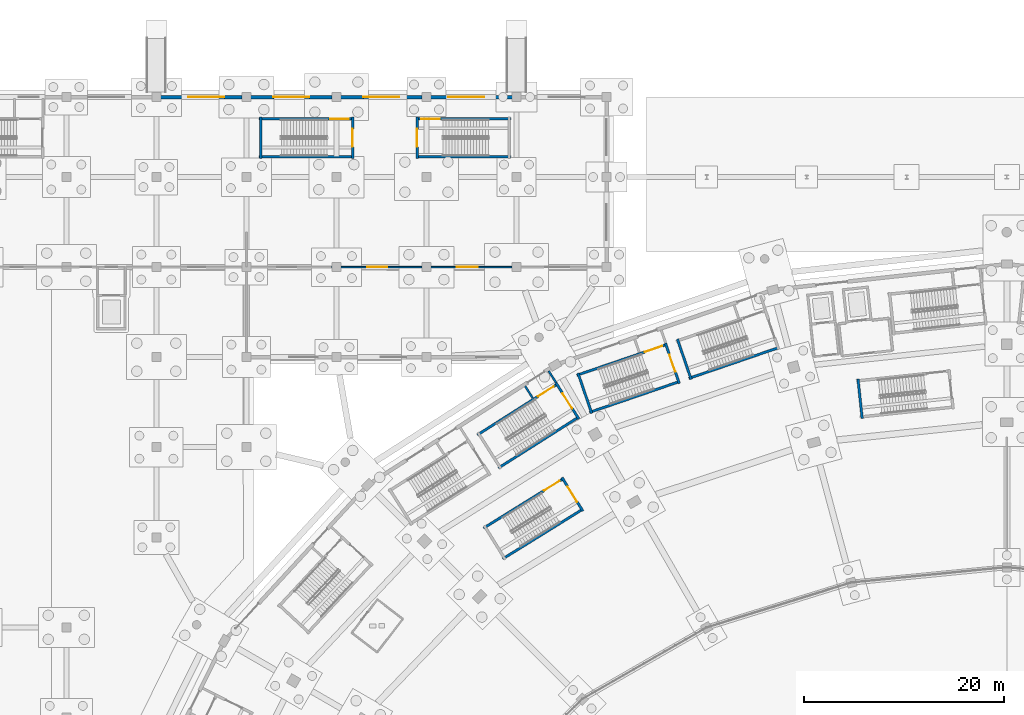
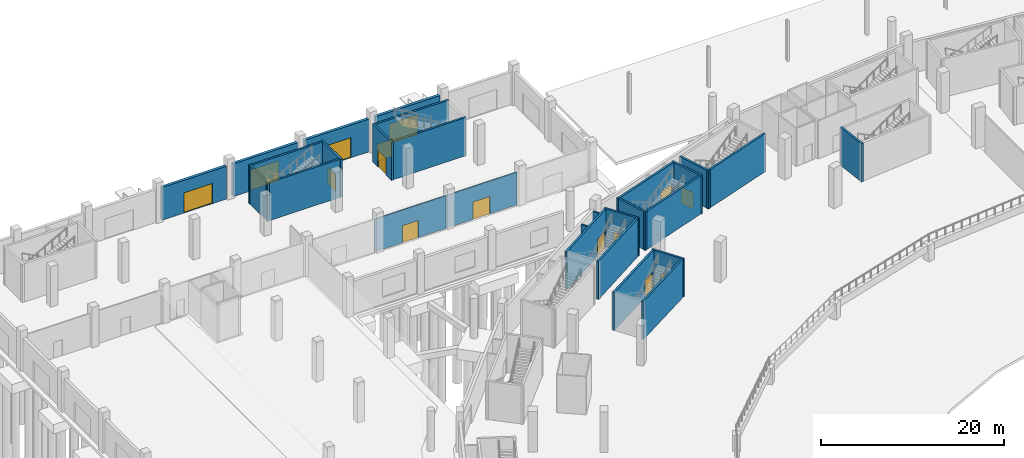
# One storey, part 44 of 103: 28 walls, 16 doors, 16 openings.
"""IFC4 building model written with IfcOpenShell, lengths in metres."""

from ifc_helpers import new_model, si_unit, direction, frame, frame_2d, origin, place, context, subcontext, project, spatial, rectangle, extrude, material, layer, layer_set, type_object, element, fill, save


model = new_model("IFC4")

# Units and contexts
model_context = context("Model", 3, precision=1e-05, world=origin(), true_north=direction((0.0, 1.0)))
body_context = subcontext(model_context, "Body", "Model", "MODEL_VIEW")
ifc_project = project(units=[si_unit("LENGTHUNIT", "METRE"), si_unit("AREAUNIT", "SQUARE_METRE"), si_unit("VOLUMEUNIT", "CUBIC_METRE"), si_unit("PLANEANGLEUNIT", "RADIAN"), si_unit("MASSUNIT", "GRAM", prefix="KILO")], contexts=[model_context])

# Site, building, storey
site_placement = place(None, origin())
site = spatial("IfcSite", under=ifc_project, at=site_placement, CompositionType="ELEMENT")
building_placement = place(site_placement, origin())
building = spatial("IfcBuilding", under=site, at=building_placement, Name="Zevraka Park Crest Stadium", CompositionType="ELEMENT")
storey_placement = place(building_placement, origin())
storey = spatial("IfcBuildingStorey", under=building, at=storey_placement, Name="L00", CompositionType="ELEMENT", Elevation=0.0)

# Wall, opening, door
ifc_material_1 = material(Name="Limestone and red clay brick masonry", Category="masonry")
ifc_layer_1 = layer(ifc_material_1, 0.35009765625)
ifc_layer_set_1 = layer_set([ifc_layer_1], Name="Limestone and red clay brick masonry")
wall_type_1 = type_object("IfcWallType", Name="EW01", PredefinedType="STANDARD", material=ifc_layer_set_1)
wall_1_placement = place(storey_placement, frame((27.425048828125, 184.0, 0.0), z_axis=(0.0, 0.0, 1.0), x_axis=(1.0, 0.0, 0.0)))
wall_1 = element("IfcWall", 1, at=wall_1_placement, inside=storey, type_object=wall_type_1, Name="Wing External Cavity Wall EW01 L00-NW-N-4", PredefinedType="STANDARD", context=body_context, shape_type="SweptSolid", body=[
    extrude(rectangle(XDim=8.14990234375, YDim=0.35009765625, at=frame_2d((4.074951171875, 0.0))), origin(), (0.0, 0.0, 1.0), 4.383544921875),
])
opening_1_placement = place(wall_1_placement, frame((2.77490234375, 0.0, 0.0)))
opening_1 = element("IfcOpeningElement", 2, at=opening_1_placement, cuts=wall_1, Name="Opening D-L00-E43", PredefinedType="OPENING", context=body_context, shape_type="SweptSolid", body=[
    extrude(rectangle(XDim=3.60009765625, YDim=2.699951171875, at=frame_2d((1.800048828125, 1.35009765625))), frame((0.0, 0.18505859375, 0.0), z_axis=(0.0, -1.0, 0.0), x_axis=(1.0, 0.0, 0.0)), (0.0, 0.0, 1.0), 0.3701171875),
])
ifc_material_2 = material(Name="Thermally broken architectural aluminium and safety glass", Category="aluminium")
door_type_1 = type_object("IfcDoorType", Name="ED01", OperationType="NOTDEFINED", PredefinedType="DOOR", material=ifc_material_2)
door_1_placement = place(opening_1_placement, origin())
door_1 = element("IfcDoor", 3, at=door_1_placement, inside=storey, type_object=door_type_1, Name="Concourse Final Exit E43", OperationType="DOUBLE_DOOR_SINGLE_SWING", OverallHeight=2.699951171875, OverallWidth=3.60009765625, PredefinedType="DOOR", context=body_context, shape_type="SweptSolid", body=[
    extrude(rectangle(XDim=3.60009765625, YDim=2.699951171875, at=frame_2d((1.800048828125, 1.35009765625))), frame((0.0, 0.02490234375, 0.0), z_axis=(0.0, -1.0, 0.0), x_axis=(1.0, 0.0, 0.0)), (0.0, 0.0, 1.0), 0.050048828125),
])
fill(opening_1, door_1)

wall_2_placement = place(storey_placement, frame((36.425048828125, 184.0, 0.0), z_axis=(0.0, 0.0, 1.0), x_axis=(1.0, 0.0, 0.0)))
wall_2 = element("IfcWall", 4, at=wall_2_placement, inside=storey, type_object=wall_type_1, Name="Wing External Cavity Wall EW01 L00-NW-N-5", PredefinedType="STANDARD", context=body_context, shape_type="SweptSolid", body=[
    extrude(rectangle(XDim=8.14990234375, YDim=0.35009765625, at=frame_2d((4.074951171875, 0.0))), origin(), (0.0, 0.0, 1.0), 4.383544921875),
])
opening_2_placement = place(wall_2_placement, frame((2.27490234375, 0.0, 0.0)))
opening_2 = element("IfcOpeningElement", 5, at=opening_2_placement, cuts=wall_2, Name="Opening D-L00-E44", PredefinedType="OPENING", context=body_context, shape_type="SweptSolid", body=[
    extrude(rectangle(XDim=3.60009765625, YDim=2.699951171875, at=frame_2d((1.800048828125, 1.35009765625))), frame((0.0, 0.18505859375, 0.0), z_axis=(0.0, -1.0, 0.0), x_axis=(1.0, 0.0, 0.0)), (0.0, 0.0, 1.0), 0.3701171875),
])
door_2_placement = place(opening_2_placement, origin())
door_2 = element("IfcDoor", 6, at=door_2_placement, inside=storey, type_object=door_type_1, Name="Concourse Final Exit E44", OperationType="DOUBLE_DOOR_SINGLE_SWING", OverallHeight=2.699951171875, OverallWidth=3.60009765625, PredefinedType="DOOR", context=body_context, shape_type="SweptSolid", body=[
    extrude(rectangle(XDim=3.60009765625, YDim=2.699951171875, at=frame_2d((1.800048828125, 1.35009765625))), frame((0.0, 0.02490234375, 0.0), z_axis=(0.0, -1.0, 0.0), x_axis=(1.0, 0.0, 0.0)), (0.0, 0.0, 1.0), 0.050048828125),
])
fill(opening_2, door_2)

wall_3_placement = place(storey_placement, frame((45.425048828125, 184.0, 0.0), z_axis=(0.0, 0.0, 1.0), x_axis=(1.0, 0.0, 0.0)))
wall_3 = element("IfcWall", 7, at=wall_3_placement, inside=storey, type_object=wall_type_1, Name="Wing External Cavity Wall EW01 L00-NW-N-6", PredefinedType="STANDARD", context=body_context, shape_type="SweptSolid", body=[
    extrude(rectangle(XDim=8.14990234375, YDim=0.35009765625, at=frame_2d((4.074951171875, 0.0))), origin(), (0.0, 0.0, 1.0), 4.383544921875),
])
opening_3_placement = place(wall_3_placement, frame((2.27490234375, 0.0, 0.0)))
opening_3 = element("IfcOpeningElement", 8, at=opening_3_placement, cuts=wall_3, Name="Opening D-L00-E45", PredefinedType="OPENING", context=body_context, shape_type="SweptSolid", body=[
    extrude(rectangle(XDim=3.60009765625, YDim=2.699951171875, at=frame_2d((1.800048828125, 1.35009765625))), frame((0.0, 0.18505859375, 0.0), z_axis=(0.0, -1.0, 0.0), x_axis=(1.0, 0.0, 0.0)), (0.0, 0.0, 1.0), 0.3701171875),
])
door_3_placement = place(opening_3_placement, origin())
door_3 = element("IfcDoor", 9, at=door_3_placement, inside=storey, type_object=door_type_1, Name="Concourse Final Exit E45", OperationType="DOUBLE_DOOR_SINGLE_SWING", OverallHeight=2.699951171875, OverallWidth=3.60009765625, PredefinedType="DOOR", context=body_context, shape_type="SweptSolid", body=[
    extrude(rectangle(XDim=3.60009765625, YDim=2.699951171875, at=frame_2d((1.800048828125, 1.35009765625))), frame((0.0, 0.02490234375, 0.0), z_axis=(0.0, -1.0, 0.0), x_axis=(1.0, 0.0, 0.0)), (0.0, 0.0, 1.0), 0.050048828125),
])
fill(opening_3, door_3)

wall_4_placement = place(storey_placement, frame((54.425048828125, 184.0, 0.0), z_axis=(0.0, 0.0, 1.0), x_axis=(1.0, 0.0, 0.0)))
wall_4 = element("IfcWall", 10, at=wall_4_placement, inside=storey, type_object=wall_type_1, Name="Wing External Cavity Wall EW01 L00-NW-N-7", PredefinedType="STANDARD", context=body_context, shape_type="SweptSolid", body=[
    extrude(rectangle(XDim=8.14990234375, YDim=0.35009765625, at=frame_2d((4.074951171875, 0.0))), origin(), (0.0, 0.0, 1.0), 4.383544921875),
])
opening_4_placement = place(wall_4_placement, frame((1.77490234375, 0.0, 0.0)))
opening_4 = element("IfcOpeningElement", 11, at=opening_4_placement, cuts=wall_4, Name="Opening D-L00-E46", PredefinedType="OPENING", context=body_context, shape_type="SweptSolid", body=[
    extrude(rectangle(XDim=3.60009765625, YDim=2.699951171875, at=frame_2d((1.800048828125, 1.35009765625))), frame((0.0, 0.18505859375, 0.0), z_axis=(0.0, -1.0, 0.0), x_axis=(1.0, 0.0, 0.0)), (0.0, 0.0, 1.0), 0.3701171875),
])
door_4_placement = place(opening_4_placement, origin())
door_4 = element("IfcDoor", 12, at=door_4_placement, inside=storey, type_object=door_type_1, Name="Concourse Final Exit E46", OperationType="DOUBLE_DOOR_SINGLE_SWING", OverallHeight=2.699951171875, OverallWidth=3.60009765625, PredefinedType="DOOR", context=body_context, shape_type="SweptSolid", body=[
    extrude(rectangle(XDim=3.60009765625, YDim=2.699951171875, at=frame_2d((1.800048828125, 1.35009765625))), frame((0.0, 0.02490234375, 0.0), z_axis=(0.0, -1.0, 0.0), x_axis=(1.0, 0.0, 0.0)), (0.0, 0.0, 1.0), 0.050048828125),
])
fill(opening_4, door_4)

# Walls
ifc_material_3 = material(Name="Autoclaved aerated masonry blockwork", Category="masonry")
ifc_layer_2 = layer(ifc_material_3, 0.199951171875)
ifc_layer_set_2 = layer_set([ifc_layer_2], Name="Autoclaved aerated masonry blockwork")
wall_type_2 = type_object("IfcWallType", Name="IW01", PredefinedType="PARTITIONING", material=ifc_layer_set_2)
wall_5_placement = place(storey_placement, frame((66.9716796875, 155.433349609375, 0.0), z_axis=(0.0, 0.0, 1.0), x_axis=(-0.539171685924, 0.842195875731, 0.0)))
element("IfcWall", 13, at=wall_5_placement, inside=storey, type_object=wall_type_2, Name="Protected Exit Passageway Wall IW01 ST09-A", PredefinedType="PARTITIONING", context=body_context, shape_type="SweptSolid", body=[
    extrude(rectangle(XDim=1.4091796875, YDim=0.199951171875, at=frame_2d((0.70458984375, 0.0))), origin(), (0.0, 0.0, 1.0), 4.1650390625),
])
wall_6_placement = place(storey_placement, frame((64.607421875, 153.933349609375, 0.0), z_axis=(0.0, 0.0, 1.0), x_axis=(-0.538885207577, 0.842379209771, 0.0)))
element("IfcWall", 14, at=wall_6_placement, inside=storey, type_object=wall_type_2, Name="Protected Exit Passageway Wall IW01 ST09-B", PredefinedType="PARTITIONING", context=body_context, shape_type="SweptSolid", body=[
    extrude(rectangle(XDim=1.398193359375, YDim=0.199951171875, at=frame_2d((0.69921875, 0.0))), origin(), (0.0, 0.0, 1.0), 4.1650390625),
])

# Wall, opening, door
ifc_material_4 = material(Name="Fire-rated twin-stud acoustic drywall", Category="other")
ifc_layer_3 = layer(ifc_material_4, 0.139892578125)
ifc_layer_set_3 = layer_set([ifc_layer_3], Name="Fire-rated twin-stud acoustic drywall")
wall_type_3 = type_object("IfcWallType", Name="IW03", PredefinedType="PARTITIONING", material=ifc_layer_set_3)
wall_7_placement = place(storey_placement, frame((44.550048828125, 167.0, 0.0), z_axis=(0.0, 0.0, 1.0), x_axis=(1.0, 0.0, 0.0)))
wall_7 = element("IfcWall", 15, at=wall_7_placement, inside=storey, type_object=wall_type_3, Name="Interior Partition IW03 Parkside Pavilion Cafe L00", PredefinedType="PARTITIONING", context=body_context, shape_type="SweptSolid", body=[
    extrude(rectangle(XDim=9.014892578125, YDim=0.139892578125, at=frame_2d((4.50732421875, 0.0))), origin(), (0.0, 0.0, 1.0), 4.383544921875),
])
opening_5_placement = place(wall_7_placement, frame((3.508056640625, 0.0, 0.0)))
opening_5 = element("IfcOpeningElement", 16, at=opening_5_placement, cuts=wall_7, Name="Opening D-L00-362", PredefinedType="OPENING", context=body_context, shape_type="SweptSolid", body=[
    extrude(rectangle(XDim=2.0, YDim=2.300048828125, at=frame_2d((1.0, 1.14990234375))), frame((0.0, 0.079833984375, 0.0), z_axis=(0.0, -1.0, 0.0), x_axis=(1.0, 0.0, 0.0)), (0.0, 0.0, 1.0), 0.159912109375),
])
ifc_material_5 = material(Name="Solid-core hardwood timber leaf in steel frame", Category="steel")
door_type_2 = type_object("IfcDoorType", Name="DR16", OperationType="NOTDEFINED", PredefinedType="DOOR", material=ifc_material_5)
door_5_placement = place(opening_5_placement, origin())
door_5 = element("IfcDoor", 17, at=door_5_placement, inside=storey, type_object=door_type_2, Name="Parkside Pavilion Cafe Door D-L00-362", OperationType="DOUBLE_DOOR_SINGLE_SWING", OverallHeight=2.300048828125, OverallWidth=2.0, PredefinedType="DOOR", context=body_context, shape_type="SweptSolid", body=[
    extrude(rectangle(XDim=2.0, YDim=2.300048828125, at=frame_2d((1.0, 1.14990234375))), frame((0.0, 0.02490234375, 0.0), z_axis=(0.0, -1.0, 0.0), x_axis=(1.0, 0.0, 0.0)), (0.0, 0.0, 1.0), 0.050048828125),
])
fill(opening_5, door_5)

wall_8_placement = place(storey_placement, frame((53.550048828125, 167.0, 0.0), z_axis=(0.0, 0.0, 1.0), x_axis=(1.0, 0.0, 0.0)))
wall_8 = element("IfcWall", 18, at=wall_8_placement, inside=storey, type_object=wall_type_3, Name="Interior Partition IW03 Parkside Pavilion Cafe L00", PredefinedType="PARTITIONING", context=body_context, shape_type="SweptSolid", body=[
    extrude(rectangle(XDim=9.014892578125, YDim=0.139892578125, at=frame_2d((4.50732421875, 0.0))), origin(), (0.0, 0.0, 1.0), 4.383544921875),
])
opening_6_placement = place(wall_8_placement, frame((3.4580078125, 0.0, 0.0)))
opening_6 = element("IfcOpeningElement", 19, at=opening_6_placement, cuts=wall_8, Name="Opening D-L00-363", PredefinedType="OPENING", context=body_context, shape_type="SweptSolid", body=[
    extrude(rectangle(XDim=2.10009765625, YDim=2.35009765625, at=frame_2d((1.050048828125, 1.175048828125))), frame((0.0, 0.079833984375, 0.0), z_axis=(0.0, -1.0, 0.0), x_axis=(1.0, 0.0, 0.0)), (0.0, 0.0, 1.0), 0.159912109375),
])
ifc_material_6 = material(Name="Solid-core hardwood timber leaf in steel frame", Category="steel")
door_type_3 = type_object("IfcDoorType", Name="DR17", OperationType="NOTDEFINED", PredefinedType="DOOR", material=ifc_material_6)
door_6_placement = place(opening_6_placement, origin())
door_6 = element("IfcDoor", 20, at=door_6_placement, inside=storey, type_object=door_type_3, Name="Parkside Pavilion Cafe Door D-L00-363", OperationType="DOUBLE_DOOR_SINGLE_SWING", OverallHeight=2.35009765625, OverallWidth=2.10009765625, PredefinedType="DOOR", context=body_context, shape_type="SweptSolid", body=[
    extrude(rectangle(XDim=2.10009765625, YDim=2.35009765625, at=frame_2d((1.050048828125, 1.175048828125))), frame((0.0, 0.02490234375, 0.0), z_axis=(0.0, -1.0, 0.0), x_axis=(1.0, 0.0, 0.0)), (0.0, 0.0, 1.0), 0.050048828125),
])
fill(opening_6, door_6)

# Walls
ifc_material_7 = material(Name="Concrete C40/50", Category="concrete")
ifc_layer_4 = layer(ifc_material_7, 0.25)
ifc_layer_set_4 = layer_set([ifc_layer_4], Name="Concrete C40/50")
wall_type_4 = type_object("IfcWallType", Name="SW01", PredefinedType="SHEAR", material=ifc_layer_set_4)
wall_9_placement = place(storey_placement, frame((80.2275390625, 155.883056640625, 0.0), z_axis=(0.0, 0.0, 1.0), x_axis=(0.946067107432, 0.323970721263, 0.0)))
element("IfcWall", 21, at=wall_9_placement, inside=storey, type_object=wall_type_4, Name="Stair Core Shear Wall SW01 ST08 L00 right", PredefinedType="SHEAR", context=body_context, shape_type="SweptSolid", body=[
    extrude(rectangle(XDim=9.55029296875, YDim=0.25, at=frame_2d((4.775146484375, 0.0))), origin(), (0.0, 0.0, 1.0), 5.10009765625),
])
wall_10_placement = place(storey_placement, frame((79.07763671875, 159.8125, 0.0), z_axis=(0.0, 0.0, 1.0), x_axis=(0.323971192516, -0.946066946056, 0.0)))
element("IfcWall", 22, at=wall_10_placement, inside=storey, type_object=wall_type_4, Name="Stair Core Shear Wall SW01 ST08 L00 far", PredefinedType="SHEAR", context=body_context, shape_type="SweptSolid", body=[
    extrude(rectangle(XDim=4.260009765625, YDim=0.25, at=frame_2d((2.1298828125, 0.0))), origin(), (0.0, 0.0, 1.0), 5.10009765625),
])

# Wall, opening, door
wall_11_placement = place(storey_placement, frame((59.083251953125, 150.227294921875, 0.0), z_axis=(0.0, 0.0, 1.0), x_axis=(0.844391246241, 0.535727004427, 0.0)))
wall_11 = element("IfcWall", 23, at=wall_11_placement, inside=storey, type_object=wall_type_4, Name="Stair Core Shear Wall SW01 ST09 L00 left", PredefinedType="SHEAR", context=body_context, shape_type="SweptSolid", body=[
    extrude(rectangle(XDim=9.550048828125, YDim=0.25, at=frame_2d((4.77490234375, 0.0))), origin(), (0.0, 0.0, 1.0), 5.10009765625),
])
opening_7_placement = place(wall_11_placement, frame((7.18994140625, 0.0, 0.0)))
opening_7 = element("IfcOpeningElement", 24, at=opening_7_placement, cuts=wall_11, Name="Opening D-L00-052", PredefinedType="OPENING", context=body_context, shape_type="SweptSolid", body=[
    extrude(rectangle(XDim=1.85009765625, YDim=2.300048828125, at=frame_2d((0.925048828125, 1.14990234375))), frame((0.0, 0.135009765625, 0.0), z_axis=(0.0, -1.0, 0.0), x_axis=(1.0, 0.0, 0.0)), (0.0, 0.0, 1.0), 0.27001953125),
])
ifc_material_8 = material(Name="Solid-core hardwood timber leaf in steel frame", Category="steel")
door_type_4 = type_object("IfcDoorType", Name="DR05", OperationType="NOTDEFINED", PredefinedType="DOOR", material=ifc_material_8)
door_7_placement = place(opening_7_placement, origin())
door_7 = element("IfcDoor", 25, at=door_7_placement, inside=storey, type_object=door_type_4, Name="Stair Exit Discharge Door ST09", OperationType="DOUBLE_DOOR_SINGLE_SWING", OverallHeight=2.300048828125, OverallWidth=1.85009765625, PredefinedType="DOOR", context=body_context, shape_type="SweptSolid", body=[
    extrude(rectangle(XDim=1.85009765625, YDim=2.300048828125, at=frame_2d((0.925048828125, 1.14990234375))), frame((0.0, 0.02490234375, 0.0), z_axis=(0.0, -1.0, 0.0), x_axis=(1.0, 0.0, 0.0)), (0.0, 0.0, 1.0), 0.050048828125),
])
fill(opening_7, door_7)

# Wall
wall_12_placement = place(storey_placement, frame((61.183349609375, 146.917236328125, 0.0), z_axis=(0.0, 0.0, 1.0), x_axis=(0.844391246241, 0.535727004427, 0.0)))
element("IfcWall", 26, at=wall_12_placement, inside=storey, type_object=wall_type_4, Name="Stair Core Shear Wall SW01 ST09 L00 right", PredefinedType="SHEAR", context=body_context, shape_type="SweptSolid", body=[
    extrude(rectangle(XDim=9.550048828125, YDim=0.25, at=frame_2d((4.77490234375, 0.0))), origin(), (0.0, 0.0, 1.0), 5.10009765625),
])

# Wall, opening, door
wall_13_placement = place(storey_placement, frame((69.232666015625, 151.822998046875, 0.0), z_axis=(0.0, 0.0, 1.0), x_axis=(-0.535684577572, 0.844418162613, 0.0)))
wall_13 = element("IfcWall", 27, at=wall_13_placement, inside=storey, type_object=wall_type_4, Name="Stair Core Shear Wall SW01 ST09 L00 near", PredefinedType="SHEAR", context=body_context, shape_type="SweptSolid", body=[
    extrude(rectangle(XDim=4.260009765625, YDim=0.25, at=frame_2d((2.1298828125, 0.0))), origin(), (0.0, 0.0, 1.0), 5.10009765625),
])
opening_8_placement = place(wall_13_placement, frame((1.22998046875, 0.0, 0.0)))
opening_8 = element("IfcOpeningElement", 28, at=opening_8_placement, cuts=wall_13, Name="Opening D-L00-051", PredefinedType="OPENING", context=body_context, shape_type="SweptSolid", body=[
    extrude(rectangle(XDim=1.800048828125, YDim=2.25, at=frame_2d((0.89990234375, 1.125))), frame((0.0, 0.135009765625, 0.0), z_axis=(0.0, -1.0, 0.0), x_axis=(1.0, 0.0, 0.0)), (0.0, 0.0, 1.0), 0.27001953125),
])
ifc_material_9 = material(Name="Solid-core hardwood timber leaf in steel frame", Category="steel")
door_type_5 = type_object("IfcDoorType", Name="DR04", OperationType="NOTDEFINED", PredefinedType="DOOR", material=ifc_material_9)
door_8_placement = place(opening_8_placement, origin())
door_8 = element("IfcDoor", 29, at=door_8_placement, inside=storey, type_object=door_type_5, Name="Protected Stair Entry Door ST09 L00", OperationType="DOUBLE_DOOR_SINGLE_SWING", OverallHeight=2.25, OverallWidth=1.800048828125, PredefinedType="DOOR", context=body_context, shape_type="SweptSolid", body=[
    extrude(rectangle(XDim=1.800048828125, YDim=2.25, at=frame_2d((0.89990234375, 1.125))), frame((0.0, 0.02490234375, 0.0), z_axis=(0.0, -1.0, 0.0), x_axis=(1.0, 0.0, 0.0)), (0.0, 0.0, 1.0), 0.050048828125),
])
fill(opening_8, door_8)

wall_14_placement = place(storey_placement, frame((69.023681640625, 156.190673828125, 0.0), z_axis=(0.0, 0.0, 1.0), x_axis=(0.946064424228, 0.323978556712, 0.0)))
wall_14 = element("IfcWall", 30, at=wall_14_placement, inside=storey, type_object=wall_type_4, Name="Stair Core Shear Wall SW01 ST27 L00 left", PredefinedType="SHEAR", context=body_context, shape_type="SweptSolid", body=[
    extrude(rectangle(XDim=9.550048828125, YDim=0.25, at=frame_2d((4.77490234375, 0.0))), origin(), (0.0, 0.0, 1.0), 5.10009765625),
])
opening_9_placement = place(wall_14_placement, frame((7.18994140625, 0.0, 0.0)))
opening_9 = element("IfcOpeningElement", 31, at=opening_9_placement, cuts=wall_14, Name="Opening D-L00-156", PredefinedType="OPENING", context=body_context, shape_type="SweptSolid", body=[
    extrude(rectangle(XDim=1.85009765625, YDim=2.300048828125, at=frame_2d((0.925048828125, 1.14990234375))), frame((0.0, 0.135009765625, 0.0), z_axis=(0.0, -1.0, 0.0), x_axis=(1.0, 0.0, 0.0)), (0.0, 0.0, 1.0), 0.27001953125),
])
door_9_placement = place(opening_9_placement, origin())
door_9 = element("IfcDoor", 32, at=door_9_placement, inside=storey, type_object=door_type_4, Name="Stair Exit Discharge Door ST27", OperationType="DOUBLE_DOOR_SINGLE_SWING", OverallHeight=2.300048828125, OverallWidth=1.85009765625, PredefinedType="DOOR", context=body_context, shape_type="SweptSolid", body=[
    extrude(rectangle(XDim=1.85009765625, YDim=2.300048828125, at=frame_2d((0.925048828125, 1.14990234375))), frame((0.0, 0.02490234375, 0.0), z_axis=(0.0, -1.0, 0.0), x_axis=(1.0, 0.0, 0.0)), (0.0, 0.0, 1.0), 0.050048828125),
])
fill(opening_9, door_9)

# Wall
wall_15_placement = place(storey_placement, frame((70.293701171875, 152.482177734375, 0.0), z_axis=(0.0, 0.0, 1.0), x_axis=(0.946064424228, 0.323978556712, 0.0)))
element("IfcWall", 33, at=wall_15_placement, inside=storey, type_object=wall_type_4, Name="Stair Core Shear Wall SW01 ST27 L00 right", PredefinedType="SHEAR", context=body_context, shape_type="SweptSolid", body=[
    extrude(rectangle(XDim=9.550048828125, YDim=0.25, at=frame_2d((4.77490234375, 0.0))), origin(), (0.0, 0.0, 1.0), 5.10009765625),
])

# Wall, opening, door
wall_16_placement = place(storey_placement, frame((79.265380859375, 155.374755859375, 0.0), z_axis=(0.0, 0.0, 1.0), x_axis=(-0.323971192516, 0.946066946056, 0.0)))
wall_16 = element("IfcWall", 34, at=wall_16_placement, inside=storey, type_object=wall_type_4, Name="Stair Core Shear Wall SW01 ST27 L00 near", PredefinedType="SHEAR", context=body_context, shape_type="SweptSolid", body=[
    extrude(rectangle(XDim=4.260009765625, YDim=0.25, at=frame_2d((2.1298828125, 0.0))), origin(), (0.0, 0.0, 1.0), 5.10009765625),
])
opening_10_placement = place(wall_16_placement, frame((1.22998046875, 0.0, 0.0)))
opening_10 = element("IfcOpeningElement", 35, at=opening_10_placement, cuts=wall_16, Name="Opening D-L00-155", PredefinedType="OPENING", context=body_context, shape_type="SweptSolid", body=[
    extrude(rectangle(XDim=1.800048828125, YDim=2.25, at=frame_2d((0.89990234375, 1.125))), frame((0.0, 0.135009765625, 0.0), z_axis=(0.0, -1.0, 0.0), x_axis=(1.0, 0.0, 0.0)), (0.0, 0.0, 1.0), 0.27001953125),
])
door_10_placement = place(opening_10_placement, origin())
door_10 = element("IfcDoor", 36, at=door_10_placement, inside=storey, type_object=door_type_5, Name="Protected Stair Entry Door ST27 L00", OperationType="DOUBLE_DOOR_SINGLE_SWING", OverallHeight=2.25, OverallWidth=1.800048828125, PredefinedType="DOOR", context=body_context, shape_type="SweptSolid", body=[
    extrude(rectangle(XDim=1.800048828125, YDim=2.25, at=frame_2d((0.89990234375, 1.125))), frame((0.0, 0.02490234375, 0.0), z_axis=(0.0, -1.0, 0.0), x_axis=(1.0, 0.0, 0.0)), (0.0, 0.0, 1.0), 0.050048828125),
])
fill(opening_10, door_10)

# Walls
wall_17_placement = place(storey_placement, frame((69.1435546875, 156.411376953125, 0.0), z_axis=(0.0, 0.0, 1.0), x_axis=(0.323988758717, -0.946060930504, 0.0)))
element("IfcWall", 37, at=wall_17_placement, inside=storey, type_object=wall_type_4, Name="Stair Core Shear Wall SW01 ST27 L00 far", PredefinedType="SHEAR", context=body_context, shape_type="SweptSolid", body=[
    extrude(rectangle(XDim=4.259765625, YDim=0.25, at=frame_2d((2.1298828125, 0.0))), origin(), (0.0, 0.0, 1.0), 5.10009765625),
])
wall_18_placement = place(storey_placement, frame((97.130126953125, 155.808349609375, 0.0), z_axis=(0.0, 0.0, 1.0), x_axis=(0.105856095603, -0.994381459513, 0.0)))
element("IfcWall", 38, at=wall_18_placement, inside=storey, type_object=wall_type_4, Name="Stair Core Shear Wall SW01 ST36 L00 far", PredefinedType="SHEAR", context=body_context, shape_type="SweptSolid", body=[
    extrude(rectangle(XDim=3.9599609375, YDim=0.25, at=frame_2d((1.97998046875, 0.0))), origin(), (0.0, 0.0, 1.0), 5.10009765625),
])

# Wall, opening, door
wall_19_placement = place(storey_placement, frame((59.712646484375, 140.916015625, 0.0), z_axis=(0.0, 0.0, 1.0), x_axis=(0.849696444565, 0.527272180277, 0.0)))
wall_19 = element("IfcWall", 39, at=wall_19_placement, inside=storey, type_object=wall_type_4, Name="Stair Core Shear Wall SW01 ST37 L00 left", PredefinedType="SHEAR", context=body_context, shape_type="SweptSolid", body=[
    extrude(rectangle(XDim=9.449951171875, YDim=0.25, at=frame_2d((4.72509765625, 0.0))), origin(), (0.0, 0.0, 1.0), 5.10009765625),
])
opening_11_placement = place(wall_19_placement, frame((7.090087890625, 0.0, 0.0)))
opening_11 = element("IfcOpeningElement", 40, at=opening_11_placement, cuts=wall_19, Name="Opening D-L00-202", PredefinedType="OPENING", context=body_context, shape_type="SweptSolid", body=[
    extrude(rectangle(XDim=1.85009765625, YDim=2.300048828125, at=frame_2d((0.925048828125, 1.14990234375))), frame((0.0, 0.135009765625, 0.0), z_axis=(0.0, -1.0, 0.0), x_axis=(1.0, 0.0, 0.0)), (0.0, 0.0, 1.0), 0.27001953125),
])
door_11_placement = place(opening_11_placement, origin())
door_11 = element("IfcDoor", 41, at=door_11_placement, inside=storey, type_object=door_type_4, Name="Stair Exit Discharge Door ST37", OperationType="DOUBLE_DOOR_SINGLE_SWING", OverallHeight=2.300048828125, OverallWidth=1.85009765625, PredefinedType="DOOR", context=body_context, shape_type="SweptSolid", body=[
    extrude(rectangle(XDim=1.85009765625, YDim=2.300048828125, at=frame_2d((0.925048828125, 1.14990234375))), frame((0.0, 0.02490234375, 0.0), z_axis=(0.0, -1.0, 0.0), x_axis=(1.0, 0.0, 0.0)), (0.0, 0.0, 1.0), 0.050048828125),
])
fill(opening_11, door_11)

# Wall
wall_20_placement = place(storey_placement, frame((61.621337890625, 137.840087890625, 0.0), z_axis=(0.0, 0.0, 1.0), x_axis=(0.849684869763, 0.527290832554, 0.0)))
element("IfcWall", 42, at=wall_20_placement, inside=storey, type_object=wall_type_4, Name="Stair Core Shear Wall SW01 ST37 L00 right", PredefinedType="SHEAR", context=body_context, shape_type="SweptSolid", body=[
    extrude(rectangle(XDim=9.449951171875, YDim=0.25, at=frame_2d((4.72509765625, 0.0))), origin(), (0.0, 0.0, 1.0), 5.10009765625),
])

# Wall, opening, door
wall_21_placement = place(storey_placement, frame((69.634521484375, 142.612548828125, 0.0), z_axis=(0.0, 0.0, 1.0), x_axis=(-0.527303008499, 0.849677313589, 0.0)))
wall_21 = element("IfcWall", 43, at=wall_21_placement, inside=storey, type_object=wall_type_4, Name="Stair Core Shear Wall SW01 ST37 L00 near", PredefinedType="SHEAR", context=body_context, shape_type="SweptSolid", body=[
    extrude(rectangle(XDim=3.9599609375, YDim=0.25, at=frame_2d((1.97998046875, 0.0))), origin(), (0.0, 0.0, 1.0), 5.10009765625),
])
opening_12_placement = place(wall_21_placement, frame((1.080078125, 0.0, 0.0)))
opening_12 = element("IfcOpeningElement", 44, at=opening_12_placement, cuts=wall_21, Name="Opening D-L00-201", PredefinedType="OPENING", context=body_context, shape_type="SweptSolid", body=[
    extrude(rectangle(XDim=1.800048828125, YDim=2.25, at=frame_2d((0.89990234375, 1.125))), frame((0.0, 0.135009765625, 0.0), z_axis=(0.0, -1.0, 0.0), x_axis=(1.0, 0.0, 0.0)), (0.0, 0.0, 1.0), 0.27001953125),
])
door_12_placement = place(opening_12_placement, origin())
door_12 = element("IfcDoor", 45, at=door_12_placement, inside=storey, type_object=door_type_5, Name="Protected Stair Entry Door ST37 L00", OperationType="DOUBLE_DOOR_SINGLE_SWING", OverallHeight=2.25, OverallWidth=1.800048828125, PredefinedType="DOOR", context=body_context, shape_type="SweptSolid", body=[
    extrude(rectangle(XDim=1.800048828125, YDim=2.25, at=frame_2d((0.89990234375, 1.125))), frame((0.0, 0.02490234375, 0.0), z_axis=(0.0, -1.0, 0.0), x_axis=(1.0, 0.0, 0.0)), (0.0, 0.0, 1.0), 0.050048828125),
])
fill(opening_12, door_12)

wall_22_placement = place(storey_placement, frame((37.25, 181.830078125, 0.0), z_axis=(0.0, 0.0, 1.0), x_axis=(1.0, 0.0, 0.0)))
wall_22 = element("IfcWall", 46, at=wall_22_placement, inside=storey, type_object=wall_type_4, Name="Stair Core Shear Wall SW01 ST49 L00 left", PredefinedType="SHEAR", context=body_context, shape_type="SweptSolid", body=[
    extrude(rectangle(XDim=9.5, YDim=0.25, at=frame_2d((4.75, 0.0))), origin(), (0.0, 0.0, 1.0), 5.10009765625),
])
opening_13_placement = place(wall_22_placement, frame((7.139892578125, 0.0, 0.0)))
opening_13 = element("IfcOpeningElement", 47, at=opening_13_placement, cuts=wall_22, Name="Opening D-L00-254", PredefinedType="OPENING", context=body_context, shape_type="SweptSolid", body=[
    extrude(rectangle(XDim=1.85009765625, YDim=2.300048828125, at=frame_2d((0.925048828125, 1.14990234375))), frame((0.0, 0.135009765625, 0.0), z_axis=(0.0, -1.0, 0.0), x_axis=(1.0, 0.0, 0.0)), (0.0, 0.0, 1.0), 0.27001953125),
])
door_13_placement = place(opening_13_placement, origin())
door_13 = element("IfcDoor", 48, at=door_13_placement, inside=storey, type_object=door_type_4, Name="Stair Exit Discharge Door ST49", OperationType="DOUBLE_DOOR_SINGLE_SWING", OverallHeight=2.300048828125, OverallWidth=1.85009765625, PredefinedType="DOOR", context=body_context, shape_type="SweptSolid", body=[
    extrude(rectangle(XDim=1.85009765625, YDim=2.300048828125, at=frame_2d((0.925048828125, 1.14990234375))), frame((0.0, 0.02490234375, 0.0), z_axis=(0.0, -1.0, 0.0), x_axis=(1.0, 0.0, 0.0)), (0.0, 0.0, 1.0), 0.050048828125),
])
fill(opening_13, door_13)

# Wall
wall_23_placement = place(storey_placement, frame((37.25, 178.010009765625, 0.0), z_axis=(0.0, 0.0, 1.0), x_axis=(1.0, 0.0, 0.0)))
element("IfcWall", 49, at=wall_23_placement, inside=storey, type_object=wall_type_4, Name="Stair Core Shear Wall SW01 ST49 L00 right", PredefinedType="SHEAR", context=body_context, shape_type="SweptSolid", body=[
    extrude(rectangle(XDim=9.5, YDim=0.25, at=frame_2d((4.75, 0.0))), origin(), (0.0, 0.0, 1.0), 5.10009765625),
])

# Wall, opening, door
wall_24_placement = place(storey_placement, frame((46.625, 177.840087890625, 0.0), z_axis=(0.0, 0.0, 1.0), x_axis=(0.0, 1.0, 0.0)))
wall_24 = element("IfcWall", 50, at=wall_24_placement, inside=storey, type_object=wall_type_4, Name="Stair Core Shear Wall SW01 ST49 L00 near", PredefinedType="SHEAR", context=body_context, shape_type="SweptSolid", body=[
    extrude(rectangle(XDim=4.159912109375, YDim=0.25, at=frame_2d((2.080078125, 0.0))), origin(), (0.0, 0.0, 1.0), 5.10009765625),
])
opening_14_placement = place(wall_24_placement, frame((1.179931640625, 0.0, 0.0)))
opening_14 = element("IfcOpeningElement", 51, at=opening_14_placement, cuts=wall_24, Name="Opening D-L00-253", PredefinedType="OPENING", context=body_context, shape_type="SweptSolid", body=[
    extrude(rectangle(XDim=1.800048828125, YDim=2.25, at=frame_2d((0.89990234375, 1.125))), frame((0.0, 0.135009765625, 0.0), z_axis=(0.0, -1.0, 0.0), x_axis=(1.0, 0.0, 0.0)), (0.0, 0.0, 1.0), 0.27001953125),
])
door_14_placement = place(opening_14_placement, origin())
door_14 = element("IfcDoor", 52, at=door_14_placement, inside=storey, type_object=door_type_5, Name="Protected Stair Entry Door ST49 L00", OperationType="DOUBLE_DOOR_SINGLE_SWING", OverallHeight=2.25, OverallWidth=1.800048828125, PredefinedType="DOOR", context=body_context, shape_type="SweptSolid", body=[
    extrude(rectangle(XDim=1.800048828125, YDim=2.25, at=frame_2d((0.89990234375, 1.125))), frame((0.0, 0.02490234375, 0.0), z_axis=(0.0, -1.0, 0.0), x_axis=(1.0, 0.0, 0.0)), (0.0, 0.0, 1.0), 0.050048828125),
])
fill(opening_14, door_14)

# Walls
wall_25_placement = place(storey_placement, frame((37.43505859375, 182.0, 0.0), z_axis=(0.0, 0.0, 1.0), x_axis=(0.0, -1.0, 0.0)))
element("IfcWall", 53, at=wall_25_placement, inside=storey, type_object=wall_type_4, Name="Stair Core Shear Wall SW01 ST49 L00 far", PredefinedType="SHEAR", context=body_context, shape_type="SweptSolid", body=[
    extrude(rectangle(XDim=4.159912109375, YDim=0.25, at=frame_2d((2.080078125, 0.0))), origin(), (0.0, 0.0, 1.0), 5.10009765625),
])
wall_26_placement = place(storey_placement, frame((52.949951171875, 178.010009765625, 0.0), z_axis=(0.0, 0.0, 1.0), x_axis=(1.0, 0.0, 0.0)))
element("IfcWall", 54, at=wall_26_placement, inside=storey, type_object=wall_type_4, Name="Stair Core Shear Wall SW01 ST50 L00 left", PredefinedType="SHEAR", context=body_context, shape_type="SweptSolid", body=[
    extrude(rectangle(XDim=9.5, YDim=0.25, at=frame_2d((4.75, 0.0))), origin(), (0.0, 0.0, 1.0), 5.10009765625),
])

# Wall, opening, door
wall_27_placement = place(storey_placement, frame((52.949951171875, 181.830078125, 0.0), z_axis=(0.0, 0.0, 1.0), x_axis=(1.0, 0.0, 0.0)))
wall_27 = element("IfcWall", 55, at=wall_27_placement, inside=storey, type_object=wall_type_4, Name="Stair Core Shear Wall SW01 ST50 L00 right", PredefinedType="SHEAR", context=body_context, shape_type="SweptSolid", body=[
    extrude(rectangle(XDim=9.5, YDim=0.25, at=frame_2d((4.75, 0.0))), origin(), (0.0, 0.0, 1.0), 5.10009765625),
])
opening_15_placement = place(wall_27_placement, frame((0.510009765625, 0.0, 0.0)))
opening_15 = element("IfcOpeningElement", 56, at=opening_15_placement, cuts=wall_27, Name="Opening D-L00-259", PredefinedType="OPENING", context=body_context, shape_type="SweptSolid", body=[
    extrude(rectangle(XDim=1.85009765625, YDim=2.300048828125, at=frame_2d((0.925048828125, 1.14990234375))), frame((0.0, 0.135009765625, 0.0), z_axis=(0.0, -1.0, 0.0), x_axis=(1.0, 0.0, 0.0)), (0.0, 0.0, 1.0), 0.27001953125),
])
door_15_placement = place(opening_15_placement, origin())
door_15 = element("IfcDoor", 57, at=door_15_placement, inside=storey, type_object=door_type_4, Name="Stair Exit Discharge Door ST50", OperationType="DOUBLE_DOOR_SINGLE_SWING", OverallHeight=2.300048828125, OverallWidth=1.85009765625, PredefinedType="DOOR", context=body_context, shape_type="SweptSolid", body=[
    extrude(rectangle(XDim=1.85009765625, YDim=2.300048828125, at=frame_2d((0.925048828125, 1.14990234375))), frame((0.0, 0.02490234375, 0.0), z_axis=(0.0, -1.0, 0.0), x_axis=(1.0, 0.0, 0.0)), (0.0, 0.0, 1.0), 0.050048828125),
])
fill(opening_15, door_15)

wall_28_placement = place(storey_placement, frame((53.074951171875, 182.0, 0.0), z_axis=(0.0, 0.0, 1.0), x_axis=(0.0, -1.0, 0.0)))
wall_28 = element("IfcWall", 58, at=wall_28_placement, inside=storey, type_object=wall_type_4, Name="Stair Core Shear Wall SW01 ST50 L00 near", PredefinedType="SHEAR", context=body_context, shape_type="SweptSolid", body=[
    extrude(rectangle(XDim=4.159912109375, YDim=0.25, at=frame_2d((2.080078125, 0.0))), origin(), (0.0, 0.0, 1.0), 5.10009765625),
])
opening_16_placement = place(wall_28_placement, frame((1.179931640625, 0.0, 0.0)))
opening_16 = element("IfcOpeningElement", 59, at=opening_16_placement, cuts=wall_28, Name="Opening D-L00-258", PredefinedType="OPENING", context=body_context, shape_type="SweptSolid", body=[
    extrude(rectangle(XDim=1.800048828125, YDim=2.25, at=frame_2d((0.89990234375, 1.125))), frame((0.0, 0.135009765625, 0.0), z_axis=(0.0, -1.0, 0.0), x_axis=(1.0, 0.0, 0.0)), (0.0, 0.0, 1.0), 0.27001953125),
])
door_16_placement = place(opening_16_placement, origin())
door_16 = element("IfcDoor", 60, at=door_16_placement, inside=storey, type_object=door_type_5, Name="Protected Stair Entry Door ST50 L00", OperationType="DOUBLE_DOOR_SINGLE_SWING", OverallHeight=2.25, OverallWidth=1.800048828125, PredefinedType="DOOR", context=body_context, shape_type="SweptSolid", body=[
    extrude(rectangle(XDim=1.800048828125, YDim=2.25, at=frame_2d((0.89990234375, 1.125))), frame((0.0, 0.02490234375, 0.0), z_axis=(0.0, -1.0, 0.0), x_axis=(1.0, 0.0, 0.0)), (0.0, 0.0, 1.0), 0.050048828125),
])
fill(opening_16, door_16)

save(model, "model.ifc")
